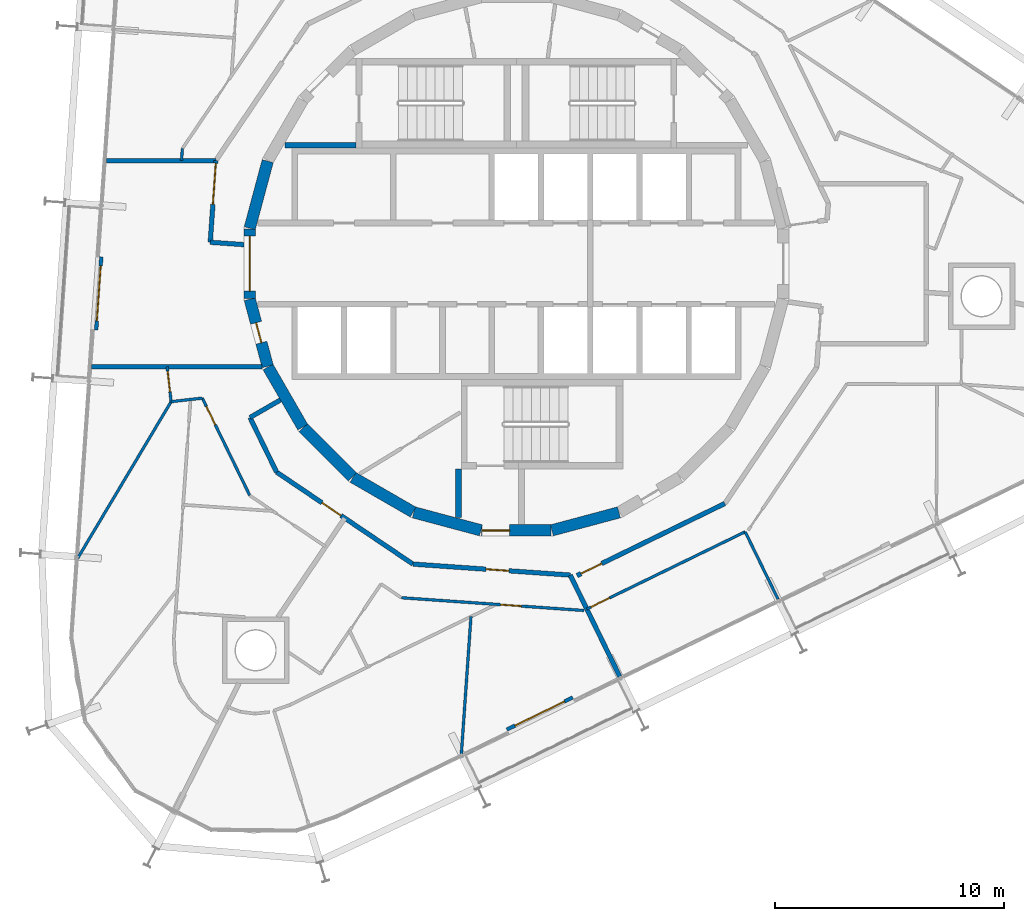
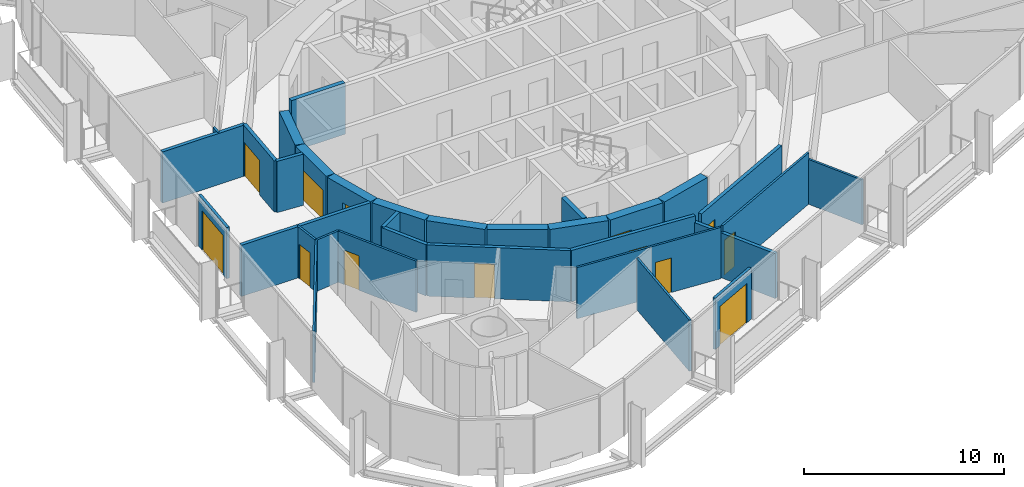
# One storey, part 12 of 18: 32 walls, 13 doors, 13 openings.
"""IFC4 building model written with IfcOpenShell, lengths in metres."""

from ifc_helpers import new_model, si_unit, direction, frame, frame_2d, origin, place, context, subcontext, project, spatial, rectangle, extrude, material, layer, layer_set, type_object, element, fill, save


model = new_model("IFC4")

# Units and contexts
model_context = context("Model", 3, precision=1e-05, world=origin(), true_north=direction((0.0, 1.0)))
body_context = subcontext(model_context, "Body", "Model", "MODEL_VIEW")
ifc_project = project(units=[si_unit("LENGTHUNIT", "METRE"), si_unit("AREAUNIT", "SQUARE_METRE"), si_unit("VOLUMEUNIT", "CUBIC_METRE"), si_unit("PLANEANGLEUNIT", "RADIAN"), si_unit("MASSUNIT", "GRAM", prefix="KILO")], contexts=[model_context])

# Site, building, storey
site_placement = place(None, origin())
site = spatial("IfcSite", under=ifc_project, at=site_placement, CompositionType="ELEMENT")
building_placement = place(site_placement, origin())
building = spatial("IfcBuilding", under=site, at=building_placement, Name="Spindle Arch Residences", CompositionType="ELEMENT")
storey_placement = place(building_placement, frame((0.0, 0.0, 195.39990234375)))
storey = spatial("IfcBuildingStorey", under=building, at=storey_placement, Name="L49", CompositionType="ELEMENT", Elevation=195.39990234375)

# Walls
ifc_material_1 = material(Name="Concrete C50/60", Category="concrete")
ifc_layer_1 = layer(ifc_material_1, 0.5)
ifc_layer_set_1 = layer_set([ifc_layer_1], Name="Core outline wall 500")
wall_type_1 = type_object("IfcWallType", Name="Core outline wall 500", PredefinedType="SHEAR", material=ifc_layer_set_1)
for number, where, z_axis, x_axis, name in (
    (1, (1.5498046875, -11.642822265625, 0.0), (0.0, 0.0, 1.0), (0.965948410781, 0.258734743916, 0.0), "Core outline wall 1"),
    (2, (-10.858154296875, 4.479248046875, 0.0), (0.0, 0.0, 1.0), (-0.258734743916, -0.965948410781, 0.0), "Core outline wall 17"),
):
    element("IfcWall", number, at=place(storey_placement, frame(where, z_axis=z_axis, x_axis=x_axis)), inside=storey, type_object=wall_type_1, Name=name, PredefinedType="SHEAR", context=body_context, shape_type="SweptSolid", body=[
        extrude(rectangle(XDim=3.03271484375, YDim=0.5, at=frame_2d((1.516357421875, 0.0))), origin(), (0.0, 0.0, 1.0), 3.1201171875),
    ])

# Wall, opening, door
wall_1_placement = place(storey_placement, frame((-11.647216796875, 1.516357421875, 0.0), z_axis=(0.0, 0.0, 1.0), x_axis=(0.0, -1.0, 0.0)))
wall_1 = element("IfcWall", 3, at=wall_1_placement, inside=storey, type_object=wall_type_1, Name="Core outline wall 18", PredefinedType="SHEAR", context=body_context, shape_type="SweptSolid", body=[
    extrude(rectangle(XDim=3.03271484375, YDim=0.5, at=frame_2d((1.516357421875, 0.0))), origin(), (0.0, 0.0, 1.0), 3.1201171875),
])
opening_1_placement = place(wall_1_placement, frame((0.31640625, 0.0, 0.0)))
opening_1 = element("IfcOpeningElement", 4, at=opening_1_placement, cuts=wall_1, Name="Opening R5A0-LE01", PredefinedType="OPENING", context=body_context, shape_type="SweptSolid", body=[
    extrude(rectangle(XDim=2.39990234375, YDim=2.10009765625, at=frame_2d((1.199951171875, 1.050048828125))), frame((0.0, 0.260009765625, 0.0), z_axis=(0.0, -1.0, 0.0), x_axis=(1.0, 0.0, 0.0)), (0.0, 0.0, 1.0), 0.52001953125),
])
ifc_material_2 = material(Name="Steel, fire-resisting door", Category="steel")
door_type_1 = type_object("IfcDoorType", Name="Lift lobby entrance door 2400x2100", OperationType="DOUBLE_DOOR_SINGLE_SWING", PredefinedType="DOOR", material=ifc_material_2)
door_1_placement = place(opening_1_placement, origin())
door_1 = element("IfcDoor", 5, at=door_1_placement, inside=storey, type_object=door_type_1, Name="Lift lobby entrance door R5A0-LE01", OperationType="DOUBLE_DOOR_SINGLE_SWING", OverallHeight=2.10009765625, OverallWidth=2.39990234375, PredefinedType="DOOR", context=body_context, shape_type="SweptSolid", body=[
    extrude(rectangle(XDim=2.39990234375, YDim=2.10009765625, at=frame_2d((1.199951171875, 1.050048828125))), frame((0.0, 0.02490234375, 0.0), z_axis=(0.0, -1.0, 0.0), x_axis=(1.0, 0.0, 0.0)), (0.0, 0.0, 1.0), 0.050048828125),
])
fill(opening_1, door_1)

wall_2_placement = place(storey_placement, frame((-11.642822265625, -1.5498046875, 0.0), z_axis=(0.0, 0.0, 1.0), x_axis=(0.258734743916, -0.965948410781, 0.0)))
wall_2 = element("IfcWall", 6, at=wall_2_placement, inside=storey, type_object=wall_type_1, Name="Core outline wall 19", PredefinedType="SHEAR", context=body_context, shape_type="SweptSolid", body=[
    extrude(rectangle(XDim=3.03271484375, YDim=0.5, at=frame_2d((1.516357421875, 0.0))), origin(), (0.0, 0.0, 1.0), 3.1201171875),
])
opening_2_placement = place(wall_2_placement, frame((1.06640625, 0.0, 0.0)))
opening_2 = element("IfcOpeningElement", 7, at=opening_2_placement, cuts=wall_2, Name="Opening R5A0-WD11", PredefinedType="OPENING", context=body_context, shape_type="SweptSolid", body=[
    extrude(rectangle(XDim=0.89990234375, YDim=2.10009765625, at=frame_2d((0.449951171875, 1.050048828125))), frame((0.0, 0.260009765625, 0.0), z_axis=(0.0, -1.0, 0.0), x_axis=(1.0, 0.0, 0.0)), (0.0, 0.0, 1.0), 0.52001953125),
])
ifc_material_3 = material(Name="Steel, fire-resisting door", Category="steel")
door_type_2 = type_object("IfcDoorType", Name="Service room door 900x2100", OperationType="SINGLE_SWING_LEFT", PredefinedType="DOOR", material=ifc_material_3)
door_2_placement = place(opening_2_placement, origin())
door_2 = element("IfcDoor", 8, at=door_2_placement, inside=storey, type_object=door_type_2, Name="Service room door R5A0-WD11", OperationType="SINGLE_SWING_LEFT", OverallHeight=2.10009765625, OverallWidth=0.89990234375, PredefinedType="DOOR", context=body_context, shape_type="SweptSolid", body=[
    extrude(rectangle(XDim=0.89990234375, YDim=2.10009765625, at=frame_2d((0.449951171875, 1.050048828125))), frame((0.0, 0.02490234375, 0.0), z_axis=(0.0, -1.0, 0.0), x_axis=(1.0, 0.0, 0.0)), (0.0, 0.0, 1.0), 0.050048828125),
])
fill(opening_2, door_2)

# Walls
wall_3_placement = place(storey_placement, frame((-10.84521484375, -4.510498046875, 0.0), z_axis=(0.0, 0.0, 1.0), x_axis=(0.500087131594, -0.865975092491, 0.0)))
element("IfcWall", 9, at=wall_3_placement, inside=storey, type_object=wall_type_1, Name="Core outline wall 20", PredefinedType="SHEAR", context=body_context, shape_type="SweptSolid", body=[
    extrude(rectangle(XDim=3.03271484375, YDim=0.5, at=frame_2d((1.516357421875, 0.0))), origin(), (0.0, 0.0, 1.0), 3.1201171875),
])
wall_4_placement = place(storey_placement, frame((-9.30810546875, -7.163818359375, 0.0), z_axis=(0.0, 0.0, 1.0), x_axis=(0.707106781187, -0.707106781187, 0.0)))
element("IfcWall", 10, at=wall_4_placement, inside=storey, type_object=wall_type_1, Name="Core outline wall 21", PredefinedType="SHEAR", context=body_context, shape_type="SweptSolid", body=[
    extrude(rectangle(XDim=3.032470703125, YDim=0.5, at=frame_2d((1.51611328125, 0.0))), origin(), (0.0, 0.0, 1.0), 3.1201171875),
])
for number, where, z_axis, x_axis, name in (
    (11, (-7.13671875, -9.32861328125, 0.0), (0.0, 0.0, 1.0), (0.865975092491, -0.500087131594, 0.0), "Core outline wall 22"),
    (12, (-4.479248046875, -10.858154296875, 0.0), (0.0, 0.0, 1.0), (0.965948410781, -0.258734743916, 0.0), "Core outline wall 23"),
):
    element("IfcWall", number, at=place(storey_placement, frame(where, z_axis=z_axis, x_axis=x_axis)), inside=storey, type_object=wall_type_1, Name=name, PredefinedType="SHEAR", context=body_context, shape_type="SweptSolid", body=[
        extrude(rectangle(XDim=3.03271484375, YDim=0.5, at=frame_2d((1.516357421875, 0.0))), origin(), (0.0, 0.0, 1.0), 3.1201171875),
    ])

# Wall, opening, door
wall_5_placement = place(storey_placement, frame((-1.516357421875, -11.647216796875, 0.0), z_axis=(0.0, 0.0, 1.0), x_axis=(1.0, 0.0, 0.0)))
wall_5 = element("IfcWall", 13, at=wall_5_placement, inside=storey, type_object=wall_type_1, Name="Core outline wall 24", PredefinedType="SHEAR", context=body_context, shape_type="SweptSolid", body=[
    extrude(rectangle(XDim=3.03271484375, YDim=0.5, at=frame_2d((1.516357421875, 0.0))), origin(), (0.0, 0.0, 1.0), 3.1201171875),
])
opening_3_placement = place(wall_5_placement, frame((0.016357421875, 0.0, 0.0)))
opening_3 = element("IfcOpeningElement", 14, at=opening_3_placement, cuts=wall_5, Name="Opening R5A0-AD03", PredefinedType="OPENING", context=body_context, shape_type="SweptSolid", body=[
    extrude(rectangle(XDim=1.199951171875, YDim=2.10009765625, at=frame_2d((0.60009765625, 1.050048828125))), frame((0.0, 0.260009765625, 0.0), z_axis=(0.0, -1.0, 0.0), x_axis=(1.0, 0.0, 0.0)), (0.0, 0.0, 1.0), 0.52001953125),
])
ifc_material_4 = material(Name="Steel, fire-resisting door", Category="steel")
door_type_3 = type_object("IfcDoorType", Name="Stair airlock door 1200x2100", OperationType="SINGLE_SWING_LEFT", PredefinedType="DOOR", material=ifc_material_4)
door_3_placement = place(opening_3_placement, origin())
door_3 = element("IfcDoor", 15, at=door_3_placement, inside=storey, type_object=door_type_3, Name="Stair airlock door R5A0-AD03", OperationType="SINGLE_SWING_RIGHT", OverallHeight=2.10009765625, OverallWidth=1.199951171875, PredefinedType="DOOR", context=body_context, shape_type="SweptSolid", body=[
    extrude(rectangle(XDim=1.199951171875, YDim=2.10009765625, at=frame_2d((0.60009765625, 1.050048828125))), frame((0.0, 0.02490234375, 0.0), z_axis=(0.0, -1.0, 0.0), x_axis=(1.0, 0.0, 0.0)), (0.0, 0.0, 1.0), 0.050048828125),
])
fill(opening_3, door_3)

# Walls
ifc_material_5 = material(Name="Calcium silicate block, plastered")
ifc_layer_2 = layer(ifc_material_5, 0.199951171875)
ifc_layer_set_2 = layer_set([ifc_layer_2], Name="Corridor wall 200")
wall_type_2 = type_object("IfcWallType", Name="Corridor wall 200", PredefinedType="STANDARD", material=ifc_layer_set_2)
wall_6_placement = place(storey_placement, frame((-10.303466796875, -5.94873046875, 0.0), z_axis=(0.0, 0.0, 1.0), x_axis=(-0.866042588199, -0.499970234539, 0.0)))
element("IfcWall", 16, at=wall_6_placement, inside=storey, type_object=wall_type_2, Name="Corridor wall R5A0-W015", PredefinedType="STANDARD", context=body_context, shape_type="SweptSolid", body=[
    extrude(rectangle(XDim=1.53515625, YDim=0.199951171875, at=frame_2d((0.767578125, 0.0))), origin(), (0.0, 0.0, 1.0), 3.1201171875),
])
wall_7_placement = place(storey_placement, frame((-11.633056640625, -6.71630859375, 0.0), z_axis=(0.0, 0.0, 1.0), x_axis=(0.438322116278, -0.898817958422, 0.0)))
element("IfcWall", 17, at=wall_7_placement, inside=storey, type_object=wall_type_2, Name="Corridor wall R5A0-W016", PredefinedType="STANDARD", context=body_context, shape_type="SweptSolid", body=[
    extrude(rectangle(XDim=2.653564453125, YDim=0.199951171875, at=frame_2d((1.32666015625, 0.0))), origin(), (0.0, 0.0, 1.0), 3.1201171875),
])

# Wall, opening, door
wall_8_placement = place(storey_placement, frame((-10.469970703125, -9.101318359375, 0.0), z_axis=(0.0, 0.0, 1.0), x_axis=(0.829035841718, -0.559195469534, 0.0)))
wall_8 = element("IfcWall", 18, at=wall_8_placement, inside=storey, type_object=wall_type_2, Name="Corridor wall R5A0-W017", PredefinedType="STANDARD", context=body_context, shape_type="SweptSolid", body=[
    extrude(rectangle(XDim=7.18115234375, YDim=0.199951171875, at=frame_2d((3.590576171875, 0.0))), origin(), (0.0, 0.0, 1.0), 3.1201171875),
])
opening_4_placement = place(wall_8_placement, frame((2.390380859375, 0.0, 0.0)))
opening_4 = element("IfcOpeningElement", 19, at=opening_4_placement, cuts=wall_8, Name="Opening R5A0-FD04", PredefinedType="OPENING", context=body_context, shape_type="SweptSolid", body=[
    extrude(rectangle(XDim=1.0, YDim=2.10009765625, at=frame_2d((0.5, 1.050048828125))), frame((0.0, 0.10986328125, 0.0), z_axis=(0.0, -1.0, 0.0), x_axis=(1.0, 0.0, 0.0)), (0.0, 0.0, 1.0), 0.219970703125),
])
ifc_material_6 = material(Name="Timber, fire-resisting door set", Category="wood")
door_type_4 = type_object("IfcDoorType", Name="Flat entrance door 1000x2100", OperationType="NOTDEFINED", PredefinedType="DOOR", material=ifc_material_6)
door_4_placement = place(opening_4_placement, origin())
door_4 = element("IfcDoor", 20, at=door_4_placement, inside=storey, type_object=door_type_4, Name="Flat entrance door R5A0-FD04", OperationType="SINGLE_SWING_RIGHT", OverallHeight=2.10009765625, OverallWidth=1.0, PredefinedType="DOOR", context=body_context, shape_type="SweptSolid", body=[
    extrude(rectangle(XDim=1.0, YDim=2.10009765625, at=frame_2d((0.5, 1.050048828125))), frame((0.0, 0.02490234375, 0.0), z_axis=(0.0, -1.0, 0.0), x_axis=(1.0, 0.0, 0.0)), (0.0, 0.0, 1.0), 0.050048828125),
])
fill(opening_4, door_4)

wall_9_placement = place(storey_placement, frame((-4.5166015625, -13.116943359375, 0.0), z_axis=(0.0, 0.0, 1.0), x_axis=(0.997564669554, -0.069747616856, 0.0)))
wall_9 = element("IfcWall", 21, at=wall_9_placement, inside=storey, type_object=wall_type_2, Name="Corridor wall R5A0-W018", PredefinedType="STANDARD", context=body_context, shape_type="SweptSolid", body=[
    extrude(rectangle(XDim=6.88525390625, YDim=0.199951171875, at=frame_2d((3.442626953125, 0.0))), origin(), (0.0, 0.0, 1.0), 3.1201171875),
])
opening_5_placement = place(wall_9_placement, frame((3.199951171875, 0.0, 0.0)))
opening_5 = element("IfcOpeningElement", 22, at=opening_5_placement, cuts=wall_9, Name="Opening R5A0-FD05", PredefinedType="OPENING", context=body_context, shape_type="SweptSolid", body=[
    extrude(rectangle(XDim=1.0, YDim=2.10009765625, at=frame_2d((0.5, 1.050048828125))), frame((0.0, 0.10986328125, 0.0), z_axis=(0.0, -1.0, 0.0), x_axis=(1.0, 0.0, 0.0)), (0.0, 0.0, 1.0), 0.219970703125),
])
door_5_placement = place(opening_5_placement, origin())
door_5 = element("IfcDoor", 23, at=door_5_placement, inside=storey, type_object=door_type_4, Name="Flat entrance door R5A0-FD05", OperationType="SINGLE_SWING_LEFT", OverallHeight=2.10009765625, OverallWidth=1.0, PredefinedType="DOOR", context=body_context, shape_type="SweptSolid", body=[
    extrude(rectangle(XDim=1.0, YDim=2.10009765625, at=frame_2d((0.5, 1.050048828125))), frame((0.0, 0.02490234375, 0.0), z_axis=(0.0, -1.0, 0.0), x_axis=(1.0, 0.0, 0.0)), (0.0, 0.0, 1.0), 0.050048828125),
])
fill(opening_5, door_5)

wall_10_placement = place(storey_placement, frame((2.64697265625, -13.617919921875, 0.0), z_axis=(0.0, 0.0, 1.0), x_axis=(0.898796543751, 0.438366026218, 0.0)))
wall_10 = element("IfcWall", 24, at=wall_10_placement, inside=storey, type_object=wall_type_2, Name="Corridor wall R5A0-W019", PredefinedType="STANDARD", context=body_context, shape_type="SweptSolid", body=[
    extrude(rectangle(XDim=7.18115234375, YDim=0.199951171875, at=frame_2d((3.590576171875, 0.0))), origin(), (0.0, 0.0, 1.0), 3.1201171875),
])
opening_6_placement = place(wall_10_placement, frame((0.199951171875, 0.0, 0.0)))
opening_6 = element("IfcOpeningElement", 25, at=opening_6_placement, cuts=wall_10, Name="Opening R5A0-FD06", PredefinedType="OPENING", context=body_context, shape_type="SweptSolid", body=[
    extrude(rectangle(XDim=1.0, YDim=2.10009765625, at=frame_2d((0.5, 1.050048828125))), frame((0.0, 0.10986328125, 0.0), z_axis=(0.0, -1.0, 0.0), x_axis=(1.0, 0.0, 0.0)), (0.0, 0.0, 1.0), 0.219970703125),
])
door_6_placement = place(opening_6_placement, origin())
door_6 = element("IfcDoor", 26, at=door_6_placement, inside=storey, type_object=door_type_4, Name="Flat entrance door R5A0-FD06", OperationType="SINGLE_SWING_LEFT", OverallHeight=2.10009765625, OverallWidth=1.0, PredefinedType="DOOR", context=body_context, shape_type="SweptSolid", body=[
    extrude(rectangle(XDim=1.0, YDim=2.10009765625, at=frame_2d((0.5, 1.050048828125))), frame((0.0, 0.02490234375, 0.0), z_axis=(0.0, -1.0, 0.0), x_axis=(1.0, 0.0, 0.0)), (0.0, 0.0, 1.0), 0.050048828125),
])
fill(opening_6, door_6)

# Wall
ifc_material_7 = material(Name="Plasterboard on steel studs", Category="steel")
ifc_layer_3 = layer(ifc_material_7, 0.1201171875)
ifc_layer_set_3 = layer_set([ifc_layer_3], Name="Flat partition 120")
wall_type_3 = type_object("IfcWallType", Name="Flat partition 120", PredefinedType="PARTITIONING", material=ifc_layer_set_3)
wall_11_placement = place(storey_placement, frame((-14.585205078125, 5.022216796875, 0.0), z_axis=(0.0, 0.0, 1.0), x_axis=(-0.069490327804, -0.997582625321, 0.0)))
element("IfcWall", 27, at=wall_11_placement, inside=storey, type_object=wall_type_3, Name="Flat partition R5A0-W061", PredefinedType="PARTITIONING", context=body_context, shape_type="SweptSolid", body=[
    extrude(rectangle(XDim=0.5234375, YDim=0.1201171875, at=frame_2d((0.26171875, 0.0))), origin(), (0.0, 0.0, 1.0), 3.1201171875),
])

# Wall, opening, door
wall_12_placement = place(storey_placement, frame((-15.24951171875, -4.5, 0.0), z_axis=(0.0, 0.0, 1.0), x_axis=(0.1124919794, -0.99365263275, 0.0)))
wall_12 = element("IfcWall", 28, at=wall_12_placement, inside=storey, type_object=wall_type_3, Name="Flat partition R5A0-W071", PredefinedType="PARTITIONING", context=body_context, shape_type="SweptSolid", body=[
    extrude(rectangle(XDim=1.534423828125, YDim=0.1201171875, at=frame_2d((0.76708984375, 0.0))), origin(), (0.0, 0.0, 1.0), 3.1201171875),
])
opening_7_placement = place(wall_12_placement, frame((0.199951171875, 0.0, 0.0)))
opening_7 = element("IfcOpeningElement", 29, at=opening_7_placement, cuts=wall_12, Name="Opening R5A0-ID14", PredefinedType="OPENING", context=body_context, shape_type="SweptSolid", body=[
    extrude(rectangle(XDim=0.89990234375, YDim=2.10009765625, at=frame_2d((0.449951171875, 1.050048828125))), frame((0.0, 0.070068359375, 0.0), z_axis=(0.0, -1.0, 0.0), x_axis=(1.0, 0.0, 0.0)), (0.0, 0.0, 1.0), 0.14013671875),
])
ifc_material_8 = material(Name="Timber door set", Category="wood")
door_type_5 = type_object("IfcDoorType", Name="Room door 900x2100", OperationType="NOTDEFINED", PredefinedType="DOOR", material=ifc_material_8)
door_7_placement = place(opening_7_placement, origin())
door_7 = element("IfcDoor", 30, at=door_7_placement, inside=storey, type_object=door_type_5, Name="Room door R5A0-ID14", OperationType="SINGLE_SWING_RIGHT", OverallHeight=2.10009765625, OverallWidth=0.89990234375, PredefinedType="DOOR", context=body_context, shape_type="SweptSolid", body=[
    extrude(rectangle(XDim=0.89990234375, YDim=2.10009765625, at=frame_2d((0.449951171875, 1.050048828125))), frame((0.0, 0.02490234375, 0.0), z_axis=(0.0, -1.0, 0.0), x_axis=(1.0, 0.0, 0.0)), (0.0, 0.0, 1.0), 0.050048828125),
])
fill(opening_7, door_7)

# Wall
wall_13_placement = place(storey_placement, frame((-15.076904296875, -6.024658203125, 0.0), z_axis=(0.0, 0.0, 1.0), x_axis=(0.993646958109, 0.112542092746, 0.0)))
element("IfcWall", 31, at=wall_13_placement, inside=storey, type_object=wall_type_3, Name="Flat partition R5A0-W072", PredefinedType="PARTITIONING", context=body_context, shape_type="SweptSolid", body=[
    extrude(rectangle(XDim=1.37109375, YDim=0.1201171875, at=frame_2d((0.685546875, 0.0))), origin(), (0.0, 0.0, 1.0), 3.1201171875),
])

# Wall, opening, door
wall_14_placement = place(storey_placement, frame((-13.714599609375, -5.870361328125, 0.0), z_axis=(0.0, 0.0, 1.0), x_axis=(0.438372766482, -0.89879325632, 0.0)))
wall_14 = element("IfcWall", 32, at=wall_14_placement, inside=storey, type_object=wall_type_3, Name="Flat partition R5A0-W073", PredefinedType="PARTITIONING", context=body_context, shape_type="SweptSolid", body=[
    extrude(rectangle(XDim=4.728271484375, YDim=0.1201171875, at=frame_2d((2.3642578125, 0.0))), origin(), (0.0, 0.0, 1.0), 3.1201171875),
])
opening_8_placement = place(wall_14_placement, frame((0.39990234375, 0.0, 0.0)))
opening_8 = element("IfcOpeningElement", 33, at=opening_8_placement, cuts=wall_14, Name="Opening R5A0-ID15", PredefinedType="OPENING", context=body_context, shape_type="SweptSolid", body=[
    extrude(rectangle(XDim=0.89990234375, YDim=2.10009765625, at=frame_2d((0.449951171875, 1.050048828125))), frame((0.0, 0.070068359375, 0.0), z_axis=(0.0, -1.0, 0.0), x_axis=(1.0, 0.0, 0.0)), (0.0, 0.0, 1.0), 0.14013671875),
])
door_8_placement = place(opening_8_placement, origin())
door_8 = element("IfcDoor", 34, at=door_8_placement, inside=storey, type_object=door_type_5, Name="Room door R5A0-ID15", OperationType="SINGLE_SWING_RIGHT", OverallHeight=2.10009765625, OverallWidth=0.89990234375, PredefinedType="DOOR", context=body_context, shape_type="SweptSolid", body=[
    extrude(rectangle(XDim=0.89990234375, YDim=2.10009765625, at=frame_2d((0.449951171875, 1.050048828125))), frame((0.0, 0.02490234375, 0.0), z_axis=(0.0, -1.0, 0.0), x_axis=(1.0, 0.0, 0.0)), (0.0, 0.0, 1.0), 0.050048828125),
])
fill(opening_8, door_8)

# Wall
wall_15_placement = place(storey_placement, frame((-19.156494140625, -12.86328125, 0.0), z_axis=(0.0, 0.0, 1.0), x_axis=(0.512316386407, 0.858796786335, 0.0)))
element("IfcWall", 35, at=wall_15_placement, inside=storey, type_object=wall_type_3, Name="Flat partition R5A0-W075", PredefinedType="PARTITIONING", context=body_context, shape_type="SweptSolid", body=[
    extrude(rectangle(XDim=7.963134765625, YDim=0.1201171875, at=frame_2d((3.9814453125, 0.0))), origin(), (0.0, 0.0, 1.0), 3.1201171875),
])

# Wall, opening, door
wall_16_placement = place(storey_placement, frame((-5.022216796875, -14.585205078125, 0.0), z_axis=(0.0, 0.0, 1.0), x_axis=(0.997565118395, -0.069741197017, 0.0)))
wall_16 = element("IfcWall", 36, at=wall_16_placement, inside=storey, type_object=wall_type_3, Name="Flat partition R5A0-W088", PredefinedType="PARTITIONING", context=body_context, shape_type="SweptSolid", body=[
    extrude(rectangle(XDim=7.985107421875, YDim=0.1201171875, at=frame_2d((3.99267578125, 0.0))), origin(), (0.0, 0.0, 1.0), 3.1201171875),
])
opening_9_placement = place(wall_16_placement, frame((4.346435546875, 0.0, 0.0)))
opening_9 = element("IfcOpeningElement", 37, at=opening_9_placement, cuts=wall_16, Name="Opening R5A0-ID21", PredefinedType="OPENING", context=body_context, shape_type="SweptSolid", body=[
    extrude(rectangle(XDim=0.89990234375, YDim=2.10009765625, at=frame_2d((0.449951171875, 1.050048828125))), frame((0.0, 0.070068359375, 0.0), z_axis=(0.0, -1.0, 0.0), x_axis=(1.0, 0.0, 0.0)), (0.0, 0.0, 1.0), 0.14013671875),
])
door_9_placement = place(opening_9_placement, origin())
door_9 = element("IfcDoor", 38, at=door_9_placement, inside=storey, type_object=door_type_5, Name="Room door R5A0-ID21", OperationType="SINGLE_SWING_LEFT", OverallHeight=2.10009765625, OverallWidth=0.89990234375, PredefinedType="DOOR", context=body_context, shape_type="SweptSolid", body=[
    extrude(rectangle(XDim=0.89990234375, YDim=2.10009765625, at=frame_2d((0.449951171875, 1.050048828125))), frame((0.0, 0.02490234375, 0.0), z_axis=(0.0, -1.0, 0.0), x_axis=(1.0, 0.0, 0.0)), (0.0, 0.0, 1.0), 0.050048828125),
])
fill(opening_9, door_9)

# Wall
wall_17_placement = place(storey_placement, frame((-2.402587890625, -21.39990234375, 0.0), z_axis=(0.0, 0.0, 1.0), x_axis=(0.069729998801, 0.997565901215, 0.0)))
element("IfcWall", 39, at=wall_17_placement, inside=storey, type_object=wall_type_3, Name="Flat partition R5A0-W096", PredefinedType="PARTITIONING", context=body_context, shape_type="SweptSolid", body=[
    extrude(rectangle(XDim=6.004638671875, YDim=0.1201171875, at=frame_2d((3.00244140625, 0.0))), origin(), (0.0, 0.0, 1.0), 3.1201171875),
])

# Wall, opening, door
wall_18_placement = place(storey_placement, frame((3.07421875, -15.078369140625, 0.0), z_axis=(0.0, 0.0, 1.0), x_axis=(0.898800770739, 0.438357359377, 0.0)))
wall_18 = element("IfcWall", 40, at=wall_18_placement, inside=storey, type_object=wall_type_3, Name="Flat partition R5A0-W097", PredefinedType="PARTITIONING", context=body_context, shape_type="SweptSolid", body=[
    extrude(rectangle(XDim=7.693603515625, YDim=0.1201171875, at=frame_2d((3.8466796875, 0.0))), origin(), (0.0, 0.0, 1.0), 3.1201171875),
])
opening_10_placement = place(wall_18_placement, frame((0.199951171875, 0.0, 0.0)))
opening_10 = element("IfcOpeningElement", 41, at=opening_10_placement, cuts=wall_18, Name="Opening R5A0-ID24", PredefinedType="OPENING", context=body_context, shape_type="SweptSolid", body=[
    extrude(rectangle(XDim=0.89990234375, YDim=2.10009765625, at=frame_2d((0.449951171875, 1.050048828125))), frame((0.0, 0.070068359375, 0.0), z_axis=(0.0, -1.0, 0.0), x_axis=(1.0, 0.0, 0.0)), (0.0, 0.0, 1.0), 0.14013671875),
])
door_10_placement = place(opening_10_placement, origin())
door_10 = element("IfcDoor", 42, at=door_10_placement, inside=storey, type_object=door_type_5, Name="Room door R5A0-ID24", OperationType="SINGLE_SWING_LEFT", OverallHeight=2.10009765625, OverallWidth=0.89990234375, PredefinedType="DOOR", context=body_context, shape_type="SweptSolid", body=[
    extrude(rectangle(XDim=0.89990234375, YDim=2.10009765625, at=frame_2d((0.449951171875, 1.050048828125))), frame((0.0, 0.02490234375, 0.0), z_axis=(0.0, -1.0, 0.0), x_axis=(1.0, 0.0, 0.0)), (0.0, 0.0, 1.0), 0.050048828125),
])
fill(opening_10, door_10)

# Walls
ifc_material_9 = material(Name="Plasterboard on steel studs", Category="steel")
ifc_layer_4 = layer(ifc_material_9, 0.1201171875)
ifc_layer_set_4 = layer_set([ifc_layer_4], Name="Flat partition 120 under beam 2730")
wall_type_4 = type_object("IfcWallType", Name="Flat partition 120 under beam 2730", PredefinedType="PARTITIONING", material=ifc_layer_set_4)
wall_19_placement = place(storey_placement, frame((11.427490234375, -14.654296875, 0.0), z_axis=(0.0, 0.0, 1.0), x_axis=(-0.438410435857, 0.898774882677, 0.0)))
element("IfcWall", 43, at=wall_19_placement, inside=storey, type_object=wall_type_4, Name="Flat partition R5A0-W101", PredefinedType="PARTITIONING", context=body_context, shape_type="SweptSolid", body=[
    extrude(rectangle(XDim=3.280517578125, YDim=0.1201171875, at=frame_2d((1.64013671875, 0.0))), origin(), (0.0, 0.0, 1.0), 2.72998046875),
])
ifc_material_10 = material(Name="Calcium silicate block, plastered")
ifc_layer_5 = layer(ifc_material_10, 0.199951171875)
ifc_layer_set_5 = layer_set([ifc_layer_5], Name="Flat party wall 200 under beam 2730")
wall_type_5 = type_object("IfcWallType", Name="Flat party wall 200 under beam 2730", PredefinedType="STANDARD", material=ifc_layer_set_5)
wall_20_placement = place(storey_placement, frame((4.512451171875, -18.027099609375, 0.0), z_axis=(0.0, 0.0, 1.0), x_axis=(-0.438374835386, 0.898792247241, 0.0)))
element("IfcWall", 44, at=wall_20_placement, inside=storey, type_object=wall_type_5, Name="Flat party wall R5A0-W034", PredefinedType="STANDARD", context=body_context, shape_type="SweptSolid", body=[
    extrude(rectangle(XDim=4.9287109375, YDim=0.199951171875, at=frame_2d((2.46435546875, 0.0))), origin(), (0.0, 0.0, 1.0), 2.72998046875),
])

# Wall, opening, door
ifc_material_11 = material(Name="Non-combustible mineral wool insulated aluminium faced external wall (K0)", Category="aluminium")
ifc_layer_6 = layer(ifc_material_11, 0.159912109375)
ifc_layer_set_6 = layer_set([ifc_layer_6], Name="Insulated external wall panel 160")
wall_type_6 = type_object("IfcWallType", Name="Insulated external wall panel 160", PredefinedType="STANDARD", material=ifc_layer_set_6)
wall_21_placement = place(storey_placement, frame((-18.1240234375, 0.300537109375, 0.0), z_axis=(0.0, 0.0, 1.0), x_axis=(-0.069728915792, -0.997565976917, 0.0)))
wall_21 = element("IfcWall", 45, at=wall_21_placement, inside=storey, type_object=wall_type_6, Name="External wall L49 bay 15", PredefinedType="STANDARD", context=body_context, shape_type="SweptSolid", body=[
    extrude(rectangle(XDim=3.2001953125, YDim=0.159912109375, at=frame_2d((1.60009765625, 0.0))), origin(), (0.0, 0.0, 1.0), 3.1201171875),
])
opening_11_placement = place(wall_21_placement, frame((0.39990234375, 0.0, 0.0)))
opening_11 = element("IfcOpeningElement", 46, at=opening_11_placement, cuts=wall_21, Name="Opening BD15", PredefinedType="OPENING", context=body_context, shape_type="SweptSolid", body=[
    extrude(rectangle(XDim=2.39990234375, YDim=2.39990234375, at=frame_2d((1.199951171875, 1.199951171875))), frame((0.0, 0.08984375, 0.0), z_axis=(0.0, -1.0, 0.0), x_axis=(1.0, 0.0, 0.0)), (0.0, 0.0, 1.0), 0.179931640625),
])
ifc_material_12 = material(Name="Bronze aluminium frame, tinted double glazing", Category="aluminium")
door_type_6 = type_object("IfcDoorType", Name="Sliding glazed balcony door 2400x2400", OperationType="DOUBLE_DOOR_SLIDING", PredefinedType="DOOR", material=ifc_material_12)
door_11_placement = place(opening_11_placement, origin())
door_11 = element("IfcDoor", 47, at=door_11_placement, inside=storey, type_object=door_type_6, Name="Balcony door BD15", OperationType="DOUBLE_DOOR_SLIDING", OverallHeight=2.39990234375, OverallWidth=2.39990234375, PredefinedType="DOOR", context=body_context, shape_type="SweptSolid", body=[
    extrude(rectangle(XDim=2.39990234375, YDim=2.39990234375, at=frame_2d((1.199951171875, 1.199951171875))), frame((0.0, 0.02490234375, 0.0), z_axis=(0.0, -1.0, 0.0), x_axis=(1.0, 0.0, 0.0)), (0.0, 0.0, 1.0), 0.050048828125),
])
fill(opening_11, door_11)

wall_22_placement = place(storey_placement, frame((-0.418212890625, -20.343017578125, 0.0), z_axis=(0.0, 0.0, 1.0), x_axis=(0.898778711213, 0.43840258698, 0.0)))
wall_22 = element("IfcWall", 48, at=wall_22_placement, inside=storey, type_object=wall_type_6, Name="External wall L49 bay 21", PredefinedType="STANDARD", context=body_context, shape_type="SweptSolid", body=[
    extrude(rectangle(XDim=3.199951171875, YDim=0.159912109375, at=frame_2d((1.60009765625, 0.0))), origin(), (0.0, 0.0, 1.0), 3.1201171875),
])
opening_12_placement = place(wall_22_placement, frame((0.39990234375, 0.0, 0.0)))
opening_12 = element("IfcOpeningElement", 49, at=opening_12_placement, cuts=wall_22, Name="Opening BD21", PredefinedType="OPENING", context=body_context, shape_type="SweptSolid", body=[
    extrude(rectangle(XDim=2.39990234375, YDim=2.39990234375, at=frame_2d((1.199951171875, 1.199951171875))), frame((0.0, 0.08984375, 0.0), z_axis=(0.0, -1.0, 0.0), x_axis=(1.0, 0.0, 0.0)), (0.0, 0.0, 1.0), 0.179931640625),
])
door_12_placement = place(opening_12_placement, origin())
door_12 = element("IfcDoor", 50, at=door_12_placement, inside=storey, type_object=door_type_6, Name="Balcony door BD21", OperationType="DOUBLE_DOOR_SLIDING", OverallHeight=2.39990234375, OverallWidth=2.39990234375, PredefinedType="DOOR", context=body_context, shape_type="SweptSolid", body=[
    extrude(rectangle(XDim=2.39990234375, YDim=2.39990234375, at=frame_2d((1.199951171875, 1.199951171875))), frame((0.0, 0.02490234375, 0.0), z_axis=(0.0, -1.0, 0.0), x_axis=(1.0, 0.0, 0.0)), (0.0, 0.0, 1.0), 0.050048828125),
])
fill(opening_12, door_12)

ifc_material_13 = material(Name="Calcium silicate block, plastered")
ifc_layer_7 = layer(ifc_material_13, 0.199951171875)
ifc_layer_set_7 = layer_set([ifc_layer_7], Name="Lift lobby bay wall 200")
wall_type_7 = type_object("IfcWallType", Name="Lift lobby bay wall 200", PredefinedType="STANDARD", material=ifc_layer_set_7)
wall_23_placement = place(storey_placement, frame((-13.1181640625, 4.5, 0.0), z_axis=(0.0, 0.0, 1.0), x_axis=(-0.069746872611, -0.99756472159, 0.0)))
wall_23 = element("IfcWall", 51, at=wall_23_placement, inside=storey, type_object=wall_type_7, Name="Lift lobby bay wall R5A0-W008", PredefinedType="STANDARD", context=body_context, shape_type="SweptSolid", body=[
    extrude(rectangle(XDim=3.573974609375, YDim=0.199951171875, at=frame_2d((1.787109375, 0.0))), origin(), (0.0, 0.0, 1.0), 3.1201171875),
])
opening_13_placement = place(wall_23_placement, frame((0.114990234375, 0.0, 0.0)))
opening_13 = element("IfcOpeningElement", 52, at=opening_13_placement, cuts=wall_23, Name="Opening R5A0-LB01", PredefinedType="OPENING", context=body_context, shape_type="SweptSolid", body=[
    extrude(rectangle(XDim=1.800048828125, YDim=2.10009765625, at=frame_2d((0.89990234375, 1.050048828125))), frame((0.0, 0.10986328125, 0.0), z_axis=(0.0, -1.0, 0.0), x_axis=(1.0, 0.0, 0.0)), (0.0, 0.0, 1.0), 0.219970703125),
])
ifc_material_14 = material(Name="Steel, fire-resisting door", Category="steel")
door_type_7 = type_object("IfcDoorType", Name="Lift lobby bay door 1800x2100", OperationType="NOTDEFINED", PredefinedType="DOOR", material=ifc_material_14)
door_13_placement = place(opening_13_placement, origin())
door_13 = element("IfcDoor", 53, at=door_13_placement, inside=storey, type_object=door_type_7, Name="Lift lobby bay door R5A0-LB01", OperationType="DOUBLE_DOOR_SINGLE_SWING", OverallHeight=2.10009765625, OverallWidth=1.800048828125, PredefinedType="DOOR", context=body_context, shape_type="SweptSolid", body=[
    extrude(rectangle(XDim=1.800048828125, YDim=2.10009765625, at=frame_2d((0.89990234375, 1.050048828125))), frame((0.0, 0.02490234375, 0.0), z_axis=(0.0, -1.0, 0.0), x_axis=(1.0, 0.0, 0.0)), (0.0, 0.0, 1.0), 0.050048828125),
])
fill(opening_13, door_13)

# Walls
wall_24_placement = place(storey_placement, frame((-13.367431640625, 0.934814453125, 0.0), z_axis=(0.0, 0.0, 1.0), x_axis=(0.997553656289, -0.069904955655, 0.0)))
element("IfcWall", 54, at=wall_24_placement, inside=storey, type_object=wall_type_7, Name="Lift lobby bay wall R5A0-W009", PredefinedType="STANDARD", context=body_context, shape_type="SweptSolid", body=[
    extrude(rectangle(XDim=1.473876953125, YDim=0.199951171875, at=frame_2d((0.73681640625, 0.0))), origin(), (0.0, 0.0, 1.0), 3.1201171875),
])
wall_25_placement = place(storey_placement, frame((-13.1181640625, 4.5, 0.0), z_axis=(0.0, 0.0, 1.0), x_axis=(-1.0, 0.0, 0.0)))
element("IfcWall", 55, at=wall_25_placement, inside=storey, type_object=wall_type_7, Name="Lift lobby bay wall R5A0-W021", PredefinedType="STANDARD", context=body_context, shape_type="SweptSolid", body=[
    extrude(rectangle(XDim=4.78173828125, YDim=0.199951171875, at=frame_2d((2.390869140625, 0.0))), origin(), (0.0, 0.0, 1.0), 3.1201171875),
])
wall_26_placement = place(storey_placement, frame((-18.5498046875, -4.5, 0.0), z_axis=(0.0, 0.0, 1.0), x_axis=(1.0, 0.0, 0.0)))
element("IfcWall", 56, at=wall_26_placement, inside=storey, type_object=wall_type_7, Name="Lift lobby bay wall R5A0-W022", PredefinedType="STANDARD", context=body_context, shape_type="SweptSolid", body=[
    extrude(rectangle(XDim=7.4384765625, YDim=0.199951171875, at=frame_2d((3.71923828125, 0.0))), origin(), (0.0, 0.0, 1.0), 3.1201171875),
])
ifc_material_15 = material(Name="Concrete C40/50", Category="concrete")
ifc_layer_8 = layer(ifc_material_15, 0.25)
ifc_layer_set_8 = layer_set([ifc_layer_8], Name="Stair airlock wall 250")
wall_type_8 = type_object("IfcWallType", Name="Stair airlock wall 250", PredefinedType="SHEAR", material=ifc_layer_set_8)
wall_27_placement = place(storey_placement, frame((-7.0, 5.175048828125, 0.0), z_axis=(0.0, 0.0, 1.0), x_axis=(-1.0, 0.0, 0.0)))
element("IfcWall", 57, at=wall_27_placement, inside=storey, type_object=wall_type_8, Name="Stair ST-2 airlock wall S", PredefinedType="SHEAR", context=body_context, shape_type="SweptSolid", body=[
    extrude(rectangle(XDim=3.10009765625, YDim=0.25, at=frame_2d((1.550048828125, 0.0))), origin(), (0.0, 0.0, 1.0), 3.1201171875),
])
wall_28_placement = place(storey_placement, frame((-2.52490234375, -8.969970703125, 0.0), z_axis=(0.0, 0.0, 1.0), x_axis=(0.0, -1.0, 0.0)))
element("IfcWall", 58, at=wall_28_placement, inside=storey, type_object=wall_type_8, Name="Stair ST-3 airlock wall W", PredefinedType="SHEAR", context=body_context, shape_type="SweptSolid", body=[
    extrude(rectangle(XDim=2.110107421875, YDim=0.25, at=frame_2d((1.05517578125, 0.0))), origin(), (0.0, 0.0, 1.0), 3.1201171875),
])

save(model, "model.ifc")
